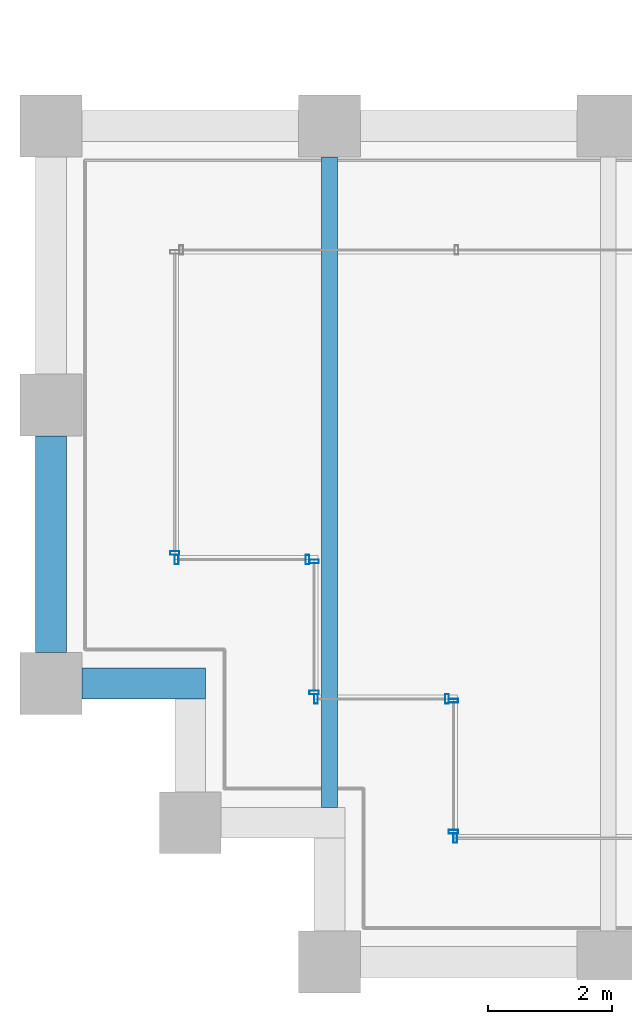
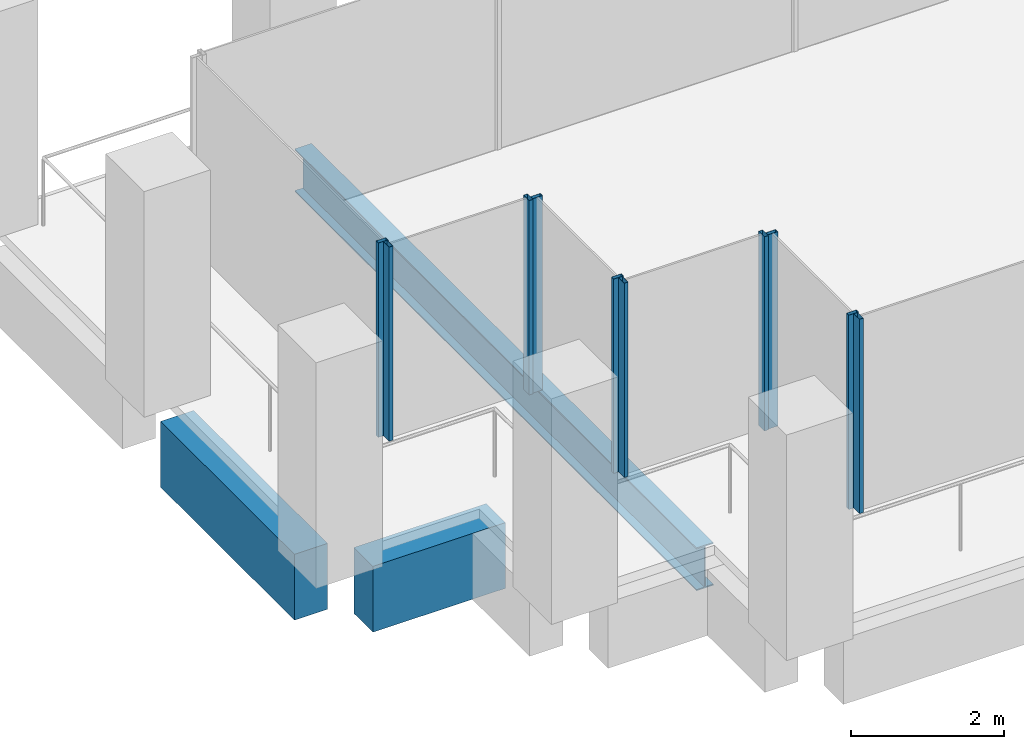
# One storey, part 2 of 46: 10 members, 3 beams, 6 elements without a shape of their own.
"""IFC4 building model written with IfcOpenShell, lengths in metres."""

from ifc_helpers import new_model, si_unit, direction, frame, origin, origin_2d, place, context, subcontext, project, spatial, rectangle, hollow_rectangle, i_section, extrude, material, material_profile, profile_set, type_object, element, aggregate, save


model = new_model("IFC4")

# Units and contexts
model_context = context("Model", 3, precision=1e-05, world=origin(), true_north=direction((0.0, 1.0)))
body_context = subcontext(model_context, "Body", "Model", "MODEL_VIEW")
ifc_project = project(units=[si_unit("LENGTHUNIT", "METRE"), si_unit("AREAUNIT", "SQUARE_METRE"), si_unit("VOLUMEUNIT", "CUBIC_METRE"), si_unit("PLANEANGLEUNIT", "RADIAN"), si_unit("MASSUNIT", "GRAM", prefix="KILO")], contexts=[model_context])

# Site, building, storey
site_placement = place(None, origin())
site = spatial("IfcSite", under=ifc_project, at=site_placement, CompositionType="ELEMENT")
building_placement = place(site_placement, origin())
building = spatial("IfcBuilding", under=site, at=building_placement, Name="Altepetl Exchange Towers", CompositionType="ELEMENT")
storey_placement = place(building_placement, frame((0.0, 0.0, 131.60009765625)))
storey = spatial("IfcBuildingStorey", under=building, at=storey_placement, Name="L32", CompositionType="ELEMENT", Elevation=131.60009765625)

# Beam
ifc_material_1 = material(Name="Steel S355", Category="steel")
ifc_material_profile_1 = material_profile(ifc_material_1, i_section(OverallWidth=0.25390625, OverallDepth=0.68408203125, WebThickness=0.012451171875, FlangeThickness=0.018798828125, at=origin_2d()), Name="W27X94")
ifc_profile_set_1 = profile_set([ifc_material_profile_1], Name="Steel S355")
beam_type_1 = type_object("IfcBeamType", Name="Floor beam W27X94", PredefinedType="BEAM", material=ifc_profile_set_1)
beam_1_placement = place(storey_placement, frame((31.5, 29.5, -0.4921875), z_axis=(0.0, 1.0, 0.0), x_axis=(-1.0, 0.0, 0.0)))
element("IfcBeam", 1, at=beam_1_placement, inside=storey, type_object=beam_type_1, Name="bm:A:L32:012", PredefinedType="BEAM", context=body_context, shape_type="SweptSolid", body=[
    extrude(i_section(OverallWidth=0.25390625, OverallDepth=0.68408203125, WebThickness=0.012451171875, FlangeThickness=0.018798828125, at=origin_2d()), origin(), (0.0, 0.0, 1.0), 10.5),
])

# Curtain wall, member
ifc_material_2 = material(Name="Aluminium 6063-T6 glazing", Category="aluminium")
curtain_wall_type = type_object("IfcCurtainWallType", Name="Loggia glazing system", PredefinedType="NOTDEFINED", material=ifc_material_2)
curtain_wall_1_placement = place(storey_placement, origin())
curtain_wall_1 = element("IfcCurtainWall", 2, at=curtain_wall_1_placement, inside=storey, type_object=curtain_wall_type, Name="CW1 run", PredefinedType="NOTDEFINED")
ifc_material_3 = material(Name="Aluminium 6063-T6", Category="aluminium")
ifc_material_profile_2 = material_profile(ifc_material_3, hollow_rectangle(XDim=0.06005859375, YDim=0.14990234375, WallThickness=0.0029296875, at=origin_2d()), Name="Mullion 60x150 aluminium")
ifc_profile_set_2 = profile_set([ifc_material_profile_2], Name="Aluminium 6063-T6")
member_type = type_object("IfcMemberType", Name="Mullion 60x150 aluminium", PredefinedType="MULLION", material=ifc_profile_set_2)
member_1_placement = place(storey_placement, frame((29.0, 33.60498046875, 0.0), z_axis=(0.0, 0.0, 1.0), x_axis=(0.0, -1.0, 0.0)))
member_1 = element("IfcMember", 3, at=member_1_placement, type_object=member_type, Name="MU1 mullion", PredefinedType="MULLION", context=body_context, shape_type="SweptSolid", body=[
    extrude(hollow_rectangle(XDim=0.06005859375, YDim=0.14990234375, WallThickness=0.0029296875, at=origin_2d()), origin(), (0.0, 0.0, 1.0), 3.099853515625),
])
aggregate(curtain_wall_1, [member_1])

# Curtain wall, members
curtain_wall_2_placement = place(storey_placement, origin())
curtain_wall_2 = element("IfcCurtainWall", 4, at=curtain_wall_2_placement, inside=storey, type_object=curtain_wall_type, Name="CW1 run", PredefinedType="NOTDEFINED")
member_2_placement = place(storey_placement, frame((29.030029296875, 33.5, 0.0)))
member_2 = element("IfcMember", 5, at=member_2_placement, type_object=member_type, Name="MU1 mullion", PredefinedType="MULLION", context=body_context, shape_type="SweptSolid", body=[
    extrude(hollow_rectangle(XDim=0.06005859375, YDim=0.14990234375, WallThickness=0.0029296875, at=origin_2d()), origin(), (0.0, 0.0, 1.0), 3.099853515625),
])
member_3_placement = place(storey_placement, frame((31.14501953125, 33.5, 0.0)))
member_3 = element("IfcMember", 6, at=member_3_placement, type_object=member_type, Name="MU1 mullion", PredefinedType="MULLION", context=body_context, shape_type="SweptSolid", body=[
    extrude(hollow_rectangle(XDim=0.06005859375, YDim=0.14990234375, WallThickness=0.0029296875, at=origin_2d()), origin(), (0.0, 0.0, 1.0), 3.099853515625),
])
aggregate(curtain_wall_2, [member_2, member_3])

curtain_wall_3_placement = place(storey_placement, origin())
curtain_wall_3 = element("IfcCurtainWall", 7, at=curtain_wall_3_placement, inside=storey, type_object=curtain_wall_type, Name="CW1 run", PredefinedType="NOTDEFINED")
member_4_placement = place(storey_placement, frame((31.25, 33.469970703125, 0.0), z_axis=(0.0, 0.0, 1.0), x_axis=(0.0, -1.0, 0.0)))
member_4 = element("IfcMember", 8, at=member_4_placement, type_object=member_type, Name="MU1 mullion", PredefinedType="MULLION", context=body_context, shape_type="SweptSolid", body=[
    extrude(hollow_rectangle(XDim=0.06005859375, YDim=0.14990234375, WallThickness=0.0029296875, at=origin_2d()), origin(), (0.0, 0.0, 1.0), 3.099853515625),
])
member_5_placement = place(storey_placement, frame((31.25, 31.35498046875, 0.0), z_axis=(0.0, 0.0, 1.0), x_axis=(0.0, -1.0, 0.0)))
member_5 = element("IfcMember", 9, at=member_5_placement, type_object=member_type, Name="MU1 mullion", PredefinedType="MULLION", context=body_context, shape_type="SweptSolid", body=[
    extrude(hollow_rectangle(XDim=0.06005859375, YDim=0.14990234375, WallThickness=0.0029296875, at=origin_2d()), origin(), (0.0, 0.0, 1.0), 3.099853515625),
])
aggregate(curtain_wall_3, [member_4, member_5])

curtain_wall_4_placement = place(storey_placement, origin())
curtain_wall_4 = element("IfcCurtainWall", 10, at=curtain_wall_4_placement, inside=storey, type_object=curtain_wall_type, Name="CW1 run", PredefinedType="NOTDEFINED")
member_6_placement = place(storey_placement, frame((31.280029296875, 31.25, 0.0)))
member_6 = element("IfcMember", 11, at=member_6_placement, type_object=member_type, Name="MU1 mullion", PredefinedType="MULLION", context=body_context, shape_type="SweptSolid", body=[
    extrude(hollow_rectangle(XDim=0.06005859375, YDim=0.14990234375, WallThickness=0.0029296875, at=origin_2d()), origin(), (0.0, 0.0, 1.0), 3.099853515625),
])
member_7_placement = place(storey_placement, frame((33.39501953125, 31.25, 0.0)))
member_7 = element("IfcMember", 12, at=member_7_placement, type_object=member_type, Name="MU1 mullion", PredefinedType="MULLION", context=body_context, shape_type="SweptSolid", body=[
    extrude(hollow_rectangle(XDim=0.06005859375, YDim=0.14990234375, WallThickness=0.0029296875, at=origin_2d()), origin(), (0.0, 0.0, 1.0), 3.099853515625),
])
aggregate(curtain_wall_4, [member_6, member_7])

curtain_wall_5_placement = place(storey_placement, origin())
curtain_wall_5 = element("IfcCurtainWall", 13, at=curtain_wall_5_placement, inside=storey, type_object=curtain_wall_type, Name="CW1 run", PredefinedType="NOTDEFINED")
member_8_placement = place(storey_placement, frame((33.5, 31.219970703125, 0.0), z_axis=(0.0, 0.0, 1.0), x_axis=(0.0, -1.0, 0.0)))
member_8 = element("IfcMember", 14, at=member_8_placement, type_object=member_type, Name="MU1 mullion", PredefinedType="MULLION", context=body_context, shape_type="SweptSolid", body=[
    extrude(hollow_rectangle(XDim=0.06005859375, YDim=0.14990234375, WallThickness=0.0029296875, at=origin_2d()), origin(), (0.0, 0.0, 1.0), 3.099853515625),
])
member_9_placement = place(storey_placement, frame((33.5, 29.10498046875, 0.0), z_axis=(0.0, 0.0, 1.0), x_axis=(0.0, -1.0, 0.0)))
member_9 = element("IfcMember", 15, at=member_9_placement, type_object=member_type, Name="MU1 mullion", PredefinedType="MULLION", context=body_context, shape_type="SweptSolid", body=[
    extrude(hollow_rectangle(XDim=0.06005859375, YDim=0.14990234375, WallThickness=0.0029296875, at=origin_2d()), origin(), (0.0, 0.0, 1.0), 3.099853515625),
])
aggregate(curtain_wall_5, [member_8, member_9])

# Curtain wall, member
curtain_wall_6_placement = place(storey_placement, origin())
curtain_wall_6 = element("IfcCurtainWall", 16, at=curtain_wall_6_placement, inside=storey, type_object=curtain_wall_type, Name="CW1 run", PredefinedType="NOTDEFINED")
member_10_placement = place(storey_placement, frame((33.530029296875, 29.0, 0.0)))
member_10 = element("IfcMember", 17, at=member_10_placement, type_object=member_type, Name="MU1 mullion", PredefinedType="MULLION", context=body_context, shape_type="SweptSolid", body=[
    extrude(hollow_rectangle(XDim=0.06005859375, YDim=0.14990234375, WallThickness=0.0029296875, at=origin_2d()), origin(), (0.0, 0.0, 1.0), 3.099853515625),
])
aggregate(curtain_wall_6, [member_10])

# Beams
ifc_material_4 = material(Name="Concrete C50/60 precast with cantera blanca facing", Category="concrete")
ifc_material_profile_3 = material_profile(ifc_material_4, rectangle(XDim=0.5, YDim=1.050048828125, at=origin_2d()), Name="500 x 1050")
ifc_profile_set_3 = profile_set([ifc_material_profile_3], Name="Concrete C50/60 precast with cantera blanca facing")
beam_type_2 = type_object("IfcBeamType", Name="Spandrel beam 500x1050 cantera blanca", PredefinedType="SPANDREL", material=ifc_profile_set_3)
beam_2_placement = place(storey_placement, frame((27.0, 35.5, -0.675048828125), z_axis=(0.0, -1.0, 0.0), x_axis=(1.0, 0.0, 0.0)))
element("IfcBeam", 18, at=beam_2_placement, inside=storey, type_object=beam_type_2, Name="sp:A:L32:037", PredefinedType="SPANDREL", context=body_context, shape_type="SweptSolid", body=[
    extrude(rectangle(XDim=0.5, YDim=1.050048828125, at=origin_2d()), origin(), (0.0, 0.0, 1.0), 3.5),
])
beam_3_placement = place(storey_placement, frame((27.5, 31.5, -0.675048828125), z_axis=(1.0, 0.0, 0.0), x_axis=(0.0, 1.0, 0.0)))
element("IfcBeam", 19, at=beam_3_placement, inside=storey, type_object=beam_type_2, Name="sp:A:L32:038", PredefinedType="SPANDREL", context=body_context, shape_type="SweptSolid", body=[
    extrude(rectangle(XDim=0.5, YDim=1.050048828125, at=origin_2d()), origin(), (0.0, 0.0, 1.0), 2.0),
])

save(model, "model.ifc")
